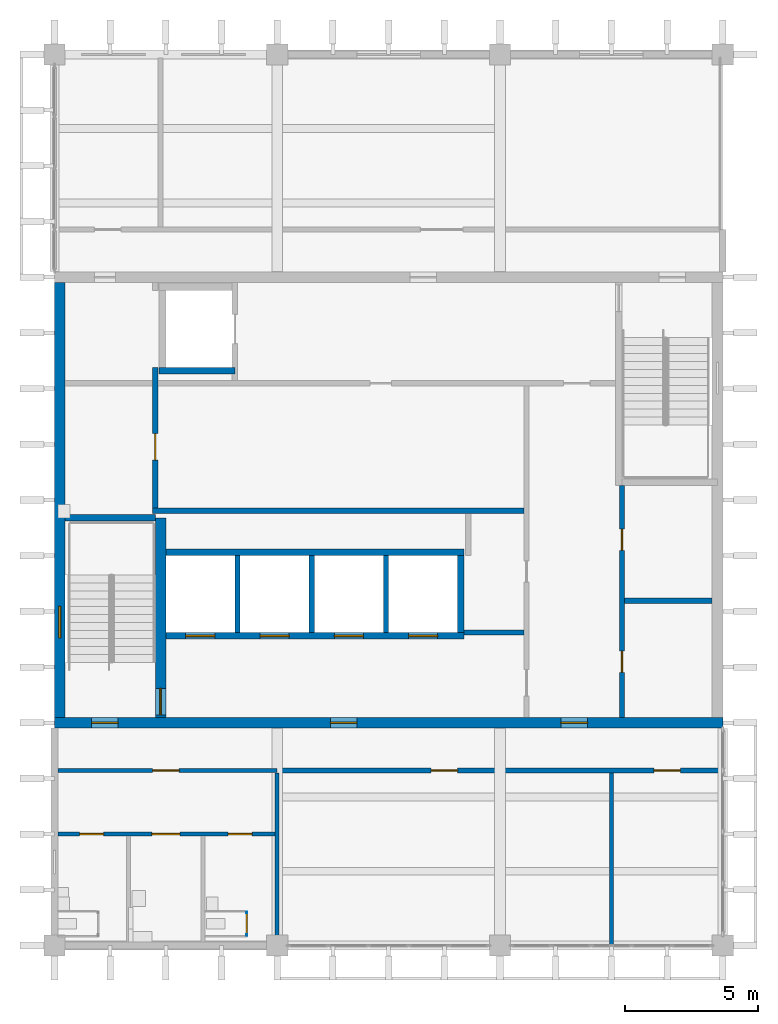
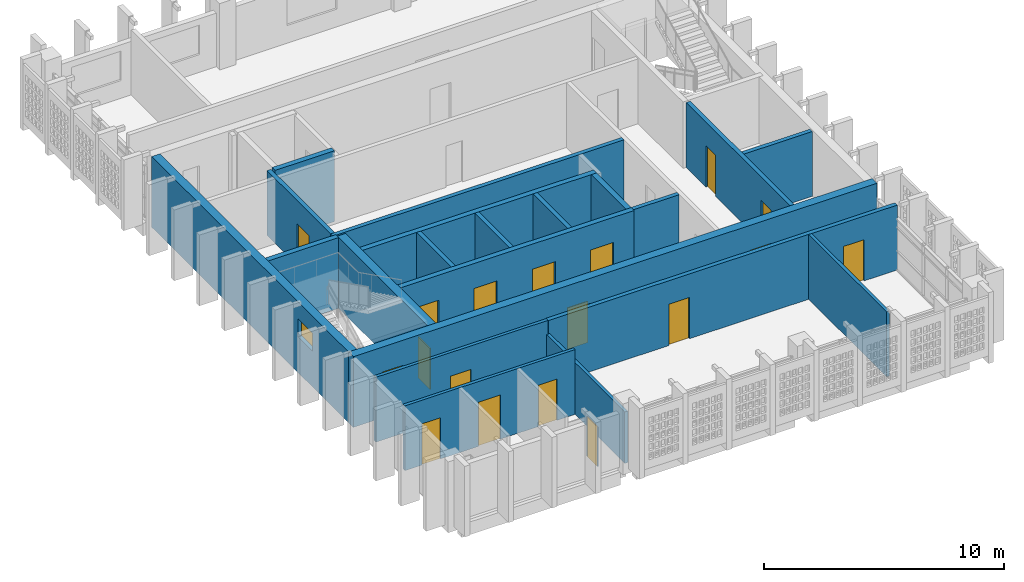
# One storey, part 5 of 13: 22 walls, 18 doors, 1 window, 19 openings.
"""IFC4 building model written with IfcOpenShell, lengths in metres."""

from ifc_helpers import new_model, si_unit, direction, frame, frame_2d, origin, place, context, subcontext, project, spatial, rectangle, extrude, material, layer, layer_set, type_object, element, fill, save


model = new_model("IFC4")

# Units and contexts
model_context = context("Model", 3, precision=1e-05, world=origin(), true_north=direction((0.0, 1.0)))
body_context = subcontext(model_context, "Body", "Model", "MODEL_VIEW")
ifc_project = project(units=[si_unit("LENGTHUNIT", "METRE"), si_unit("AREAUNIT", "SQUARE_METRE"), si_unit("VOLUMEUNIT", "CUBIC_METRE"), si_unit("PLANEANGLEUNIT", "RADIAN"), si_unit("MASSUNIT", "GRAM", prefix="KILO")], contexts=[model_context])

# Site, building, storey
site_placement = place(None, origin())
site = spatial("IfcSite", under=ifc_project, at=site_placement, CompositionType="ELEMENT")
building_placement = place(site_placement, origin())
building = spatial("IfcBuilding", under=site, at=building_placement, Name="Rulbaag Community and Learning Centre", CompositionType="ELEMENT")
storey_placement = place(building_placement, frame((0.0, 0.0, 39.60009765625)))
storey = spatial("IfcBuildingStorey", under=building, at=storey_placement, Name="L10", CompositionType="ELEMENT", Elevation=39.60009765625)

# Wall, opening, door
ifc_material_1 = material(Name="High pressure laminate", Category="wood")
ifc_layer_1 = layer(ifc_material_1, 0.0400390625)
ifc_layer_set_1 = layer_set([ifc_layer_1], Name="CP-40")
wall_type_1 = type_object("IfcWallType", Name="CP-40", PredefinedType="PARTITIONING", material=ifc_layer_set_1)
wall_1_placement = place(storey_placement, frame((150.050048828125, 84.3701171875, 0.0), z_axis=(0.0, 0.0, 1.0), x_axis=(0.0, 1.0, 0.0)))
wall_1 = element("IfcWall", 1, at=wall_1_placement, inside=storey, type_object=wall_type_1, Name="Cubicle partition", PredefinedType="PARTITIONING", context=body_context, shape_type="SweptSolid", body=[
    extrude(rectangle(XDim=0.89990234375, YDim=0.0400390625, at=frame_2d((0.449951171875, 0.0))), origin(), (0.0, 0.0, 1.0), 2.0),
])
opening_1_placement = place(wall_1_placement, frame((0.050048828125, 0.0, 0.0)))
opening_1 = element("IfcOpeningElement", 2, at=opening_1_placement, cuts=wall_1, Name="Opening L10-D013", PredefinedType="OPENING", context=body_context, shape_type="SweptSolid", body=[
    extrude(rectangle(XDim=0.800048828125, YDim=2.0, at=frame_2d((0.39990234375, 1.0))), frame((0.0, 0.030029296875, 0.0), z_axis=(0.0, -1.0, 0.0), x_axis=(1.0, 0.0, 0.0)), (0.0, 0.0, 1.0), 0.06005859375),
])
door_type_1 = type_object("IfcDoorType", Name="DC-80", OperationType="SINGLE_SWING_LEFT", PredefinedType="DOOR", material=ifc_material_1)
door_1_placement = place(opening_1_placement, origin())
door_1 = element("IfcDoor", 3, at=door_1_placement, inside=storey, type_object=door_type_1, Name="Cubicle door", OperationType="SINGLE_SWING_LEFT", OverallHeight=2.0, OverallWidth=0.800048828125, PredefinedType="DOOR", context=body_context, shape_type="SweptSolid", body=[
    extrude(rectangle(XDim=0.800048828125, YDim=2.0, at=frame_2d((0.39990234375, 1.0))), frame((0.0, 0.019775390625, 0.0), z_axis=(0.0, -1.0, 0.0), x_axis=(1.0, 0.0, 0.0)), (0.0, 0.0, 1.0), 0.03955078125),
])
fill(opening_1, door_1)

# Wall, openings, doors
ifc_material_2 = material(Name="Concrete blockwork", Category="masonry")
ifc_layer_2 = layer(ifc_material_2, 0.199951171875)
ifc_layer_set_2 = layer_set([ifc_layer_2], Name="FW-200 FIRE WALL 200")
wall_type_2 = type_object("IfcWallType", Name="FW-200 FIRE WALL 200", PredefinedType="SOLIDWALL", material=ifc_layer_set_2)
wall_2_placement = place(storey_placement, frame((151.199951171875, 90.60009765625, 0.0), z_axis=(0.0, 0.0, 1.0), x_axis=(1.0, 0.0, 0.0)))
wall_2 = element("IfcWall", 4, at=wall_2_placement, inside=storey, type_object=wall_type_2, Name="Fire wall L10 3", PredefinedType="SOLIDWALL", context=body_context, shape_type="SweptSolid", body=[
    extrude(rectangle(XDim=16.800048828125, YDim=0.199951171875, at=frame_2d((8.39990234375, 0.0))), origin(), (0.0, 0.0, 1.0), 3.2998046875),
])
opening_2_placement = place(wall_2_placement, frame((5.800048828125, 0.0, 0.0)))
opening_2 = element("IfcOpeningElement", 5, at=opening_2_placement, cuts=wall_2, Name="Opening L10-D021", PredefinedType="OPENING", context=body_context, shape_type="SweptSolid", body=[
    extrude(rectangle(XDim=1.0, YDim=2.10009765625, at=frame_2d((0.5, 1.050048828125))), frame((0.0, 0.10986328125, 0.0), z_axis=(0.0, -1.0, 0.0), x_axis=(1.0, 0.0, 0.0)), (0.0, 0.0, 1.0), 0.219970703125),
])
opening_3_placement = place(wall_2_placement, frame((14.199951171875, 0.0, 0.0)))
opening_3 = element("IfcOpeningElement", 6, at=opening_3_placement, cuts=wall_2, Name="Opening L10-D029", PredefinedType="OPENING", context=body_context, shape_type="SweptSolid", body=[
    extrude(rectangle(XDim=1.0, YDim=2.10009765625, at=frame_2d((0.5, 1.050048828125))), frame((0.0, 0.10986328125, 0.0), z_axis=(0.0, -1.0, 0.0), x_axis=(1.0, 0.0, 0.0)), (0.0, 0.0, 1.0), 0.219970703125),
])
ifc_material_3 = material(Name="Galvanised steel", Category="steel")
door_type_2 = type_object("IfcDoorType", Name="FD-1000 FIRE DOOR 1000 x 2100", OperationType="SINGLE_SWING_LEFT", PredefinedType="DOOR", material=ifc_material_3)
door_2_placement = place(opening_2_placement, origin())
door_2 = element("IfcDoor", 7, at=door_2_placement, inside=storey, type_object=door_type_2, Name="Door L10-D021", OperationType="SINGLE_SWING_LEFT", OverallHeight=2.10009765625, OverallWidth=1.0, PredefinedType="DOOR", context=body_context, shape_type="SweptSolid", body=[
    extrude(rectangle(XDim=1.0, YDim=2.10009765625, at=frame_2d((0.5, 1.050048828125))), frame((0.0, 0.02490234375, 0.0), z_axis=(0.0, -1.0, 0.0), x_axis=(1.0, 0.0, 0.0)), (0.0, 0.0, 1.0), 0.050048828125),
])
fill(opening_2, door_2)
door_3_placement = place(opening_3_placement, origin())
door_3 = element("IfcDoor", 8, at=door_3_placement, inside=storey, type_object=door_type_2, Name="Door L10-D029", OperationType="SINGLE_SWING_RIGHT", OverallHeight=2.10009765625, OverallWidth=1.0, PredefinedType="DOOR", context=body_context, shape_type="SweptSolid", body=[
    extrude(rectangle(XDim=1.0, YDim=2.10009765625, at=frame_2d((0.5, 1.050048828125))), frame((0.0, 0.02490234375, 0.0), z_axis=(0.0, -1.0, 0.0), x_axis=(1.0, 0.0, 0.0)), (0.0, 0.0, 1.0), 0.050048828125),
])
fill(opening_3, door_3)

# Walls
wall_3_placement = place(storey_placement, frame((158.25, 95.800048828125, 0.0), z_axis=(0.0, 0.0, 1.0), x_axis=(1.0, 0.0, 0.0)))
element("IfcWall", 9, at=wall_3_placement, inside=storey, type_object=wall_type_2, Name="Fire wall L10 5", PredefinedType="SOLIDWALL", context=body_context, shape_type="SweptSolid", body=[
    extrude(rectangle(XDim=2.25, YDim=0.199951171875, at=frame_2d((1.125, 0.0))), origin(), (0.0, 0.0, 1.0), 3.2998046875),
])
wall_4_placement = place(storey_placement, frame((164.300048828125, 97.0, 0.0), z_axis=(0.0, 0.0, 1.0), x_axis=(1.0, 0.0, 0.0)))
element("IfcWall", 10, at=wall_4_placement, inside=storey, type_object=wall_type_2, Name="Fire wall L10 6", PredefinedType="SOLIDWALL", context=body_context, shape_type="SweptSolid", body=[
    extrude(rectangle(XDim=3.300048828125, YDim=0.199951171875, at=frame_2d((1.64990234375, 0.0))), origin(), (0.0, 0.0, 1.0), 3.2998046875),
])
wall_5_placement = place(storey_placement, frame((146.5, 100.39990234375, 0.0), z_axis=(0.0, 0.0, 1.0), x_axis=(1.0, 0.0, 0.0)))
element("IfcWall", 11, at=wall_5_placement, inside=storey, type_object=wall_type_2, Name="Fire wall L10 8", PredefinedType="SOLIDWALL", context=body_context, shape_type="SweptSolid", body=[
    extrude(rectangle(XDim=14.0, YDim=0.199951171875, at=frame_2d((7.0, 0.0))), origin(), (0.0, 0.0, 1.0), 3.2998046875),
])

# Wall, opening, door
wall_6_placement = place(storey_placement, frame((146.60009765625, 100.5, 0.0), z_axis=(0.0, 0.0, 1.0), x_axis=(0.0, 1.0, 0.0)))
wall_6 = element("IfcWall", 12, at=wall_6_placement, inside=storey, type_object=wall_type_2, Name="Fire wall L10 12", PredefinedType="SOLIDWALL", context=body_context, shape_type="SweptSolid", body=[
    extrude(rectangle(XDim=5.300048828125, YDim=0.199951171875, at=frame_2d((2.64990234375, 0.0))), origin(), (0.0, 0.0, 1.0), 3.2998046875),
])
opening_4_placement = place(wall_6_placement, frame((1.800048828125, 0.0, 0.0)))
opening_4 = element("IfcOpeningElement", 13, at=opening_4_placement, cuts=wall_6, Name="Opening L10-D006", PredefinedType="OPENING", context=body_context, shape_type="SweptSolid", body=[
    extrude(rectangle(XDim=1.0, YDim=2.10009765625, at=frame_2d((0.5, 1.050048828125))), frame((0.0, 0.10986328125, 0.0), z_axis=(0.0, -1.0, 0.0), x_axis=(1.0, 0.0, 0.0)), (0.0, 0.0, 1.0), 0.219970703125),
])
door_4_placement = place(opening_4_placement, origin())
door_4 = element("IfcDoor", 14, at=door_4_placement, inside=storey, type_object=door_type_2, Name="Door L10-D006", OperationType="SINGLE_SWING_LEFT", OverallHeight=2.10009765625, OverallWidth=1.0, PredefinedType="DOOR", context=body_context, shape_type="SweptSolid", body=[
    extrude(rectangle(XDim=1.0, YDim=2.10009765625, at=frame_2d((0.5, 1.050048828125))), frame((0.0, 0.02490234375, 0.0), z_axis=(0.0, -1.0, 0.0), x_axis=(1.0, 0.0, 0.0)), (0.0, 0.0, 1.0), 0.050048828125),
])
fill(opening_4, door_4)

# Wall, openings, doors
wall_7_placement = place(storey_placement, frame((164.199951171875, 92.60009765625, 0.0), z_axis=(0.0, 0.0, 1.0), x_axis=(0.0, 1.0, 0.0)))
wall_7 = element("IfcWall", 15, at=wall_7_placement, inside=storey, type_object=wall_type_2, Name="Fire wall L10 21", PredefinedType="SOLIDWALL", context=body_context, shape_type="SweptSolid", body=[
    extrude(rectangle(XDim=8.75, YDim=0.199951171875, at=frame_2d((4.375, 0.0))), origin(), (0.0, 0.0, 1.0), 3.2998046875),
])
opening_5_placement = place(wall_7_placement, frame((1.699951171875, 0.0, 0.0)))
opening_5 = element("IfcOpeningElement", 16, at=opening_5_placement, cuts=wall_7, Name="Opening L10-D027", PredefinedType="OPENING", context=body_context, shape_type="SweptSolid", body=[
    extrude(rectangle(XDim=0.800048828125, YDim=2.10009765625, at=frame_2d((0.39990234375, 1.050048828125))), frame((0.0, 0.10986328125, 0.0), z_axis=(0.0, -1.0, 0.0), x_axis=(1.0, 0.0, 0.0)), (0.0, 0.0, 1.0), 0.219970703125),
])
opening_6_placement = place(wall_7_placement, frame((6.300048828125, 0.0, 0.0)))
opening_6 = element("IfcOpeningElement", 17, at=opening_6_placement, cuts=wall_7, Name="Opening L10-D028", PredefinedType="OPENING", context=body_context, shape_type="SweptSolid", body=[
    extrude(rectangle(XDim=0.800048828125, YDim=2.10009765625, at=frame_2d((0.39990234375, 1.050048828125))), frame((0.0, 0.10986328125, 0.0), z_axis=(0.0, -1.0, 0.0), x_axis=(1.0, 0.0, 0.0)), (0.0, 0.0, 1.0), 0.219970703125),
])
door_type_3 = type_object("IfcDoorType", Name="FDR-800 RISER FIRE DOOR 800 x 2100", OperationType="SINGLE_SWING_LEFT", PredefinedType="DOOR", material=ifc_material_3)
door_5_placement = place(opening_5_placement, origin())
door_5 = element("IfcDoor", 18, at=door_5_placement, inside=storey, type_object=door_type_3, Name="Riser door L10-D017", OperationType="SINGLE_SWING_LEFT", OverallHeight=2.10009765625, OverallWidth=0.800048828125, PredefinedType="DOOR", context=body_context, shape_type="SweptSolid", body=[
    extrude(rectangle(XDim=0.800048828125, YDim=2.10009765625, at=frame_2d((0.39990234375, 1.050048828125))), frame((0.0, 0.02490234375, 0.0), z_axis=(0.0, -1.0, 0.0), x_axis=(1.0, 0.0, 0.0)), (0.0, 0.0, 1.0), 0.050048828125),
])
fill(opening_5, door_5)
door_6_placement = place(opening_6_placement, origin())
door_6 = element("IfcDoor", 19, at=door_6_placement, inside=storey, type_object=door_type_3, Name="Riser door L10-D018", OperationType="SINGLE_SWING_RIGHT", OverallHeight=2.10009765625, OverallWidth=0.800048828125, PredefinedType="DOOR", context=body_context, shape_type="SweptSolid", body=[
    extrude(rectangle(XDim=0.800048828125, YDim=2.10009765625, at=frame_2d((0.39990234375, 1.050048828125))), frame((0.0, 0.02490234375, 0.0), z_axis=(0.0, -1.0, 0.0), x_axis=(1.0, 0.0, 0.0)), (0.0, 0.0, 1.0), 0.050048828125),
])
fill(opening_6, door_6)

ifc_layer_3 = layer(ifc_material_2, 0.14990234375)
ifc_layer_set_3 = layer_set([ifc_layer_3], Name="IP-150 PARTITION 150")
wall_type_3 = type_object("IfcWallType", Name="IP-150 PARTITION 150", PredefinedType="PARTITIONING", material=ifc_layer_set_3)
wall_8_placement = place(storey_placement, frame((142.925048828125, 88.199951171875, 0.0), z_axis=(0.0, 0.0, 1.0), x_axis=(1.0, 0.0, 0.0)))
wall_8 = element("IfcWall", 20, at=wall_8_placement, inside=storey, type_object=wall_type_3, Name="Partition L10 1", PredefinedType="PARTITIONING", context=body_context, shape_type="SweptSolid", body=[
    extrude(rectangle(XDim=8.199951171875, YDim=0.14990234375, at=frame_2d((4.10009765625, 0.0))), origin(), (0.0, 0.0, 1.0), 3.2998046875),
])
opening_7_placement = place(wall_8_placement, frame((0.824951171875, 0.0, 0.0)))
opening_7 = element("IfcOpeningElement", 21, at=opening_7_placement, cuts=wall_8, Name="Opening L10-D001", PredefinedType="OPENING", context=body_context, shape_type="SweptSolid", body=[
    extrude(rectangle(XDim=0.89990234375, YDim=2.10009765625, at=frame_2d((0.449951171875, 1.050048828125))), frame((0.0, 0.0849609375, 0.0), z_axis=(0.0, -1.0, 0.0), x_axis=(1.0, 0.0, 0.0)), (0.0, 0.0, 1.0), 0.169921875),
])
opening_8_placement = place(wall_8_placement, frame((3.550048828125, 0.0, 0.0)))
opening_8 = element("IfcOpeningElement", 22, at=opening_8_placement, cuts=wall_8, Name="Opening L10-D008", PredefinedType="OPENING", context=body_context, shape_type="SweptSolid", body=[
    extrude(rectangle(XDim=1.050048828125, YDim=2.25, at=frame_2d((0.52490234375, 1.125))), frame((0.0, 0.0849609375, 0.0), z_axis=(0.0, -1.0, 0.0), x_axis=(1.0, 0.0, 0.0)), (0.0, 0.0, 1.0), 0.169921875),
])
opening_9_placement = place(wall_8_placement, frame((6.425048828125, 0.0, 0.0)))
opening_9 = element("IfcOpeningElement", 23, at=opening_9_placement, cuts=wall_8, Name="Opening L10-D012", PredefinedType="OPENING", context=body_context, shape_type="SweptSolid", body=[
    extrude(rectangle(XDim=0.89990234375, YDim=2.10009765625, at=frame_2d((0.449951171875, 1.050048828125))), frame((0.0, 0.0849609375, 0.0), z_axis=(0.0, -1.0, 0.0), x_axis=(1.0, 0.0, 0.0)), (0.0, 0.0, 1.0), 0.169921875),
])
ifc_material_4 = material(Name="Timber", Category="wood")
door_type_4 = type_object("IfcDoorType", Name="D-1050 ACCESSIBLE TOILET DOOR 1050 x 2250", OperationType="SINGLE_SWING_LEFT", PredefinedType="DOOR", material=ifc_material_4)
door_7_placement = place(opening_8_placement, origin())
door_7 = element("IfcDoor", 24, at=door_7_placement, inside=storey, type_object=door_type_4, Name="Door L10-D008", OperationType="SINGLE_SWING_LEFT", OverallHeight=2.25, OverallWidth=1.050048828125, PredefinedType="DOOR", context=body_context, shape_type="SweptSolid", body=[
    extrude(rectangle(XDim=1.050048828125, YDim=2.25, at=frame_2d((0.52490234375, 1.125))), frame((0.0, 0.02490234375, 0.0), z_axis=(0.0, -1.0, 0.0), x_axis=(1.0, 0.0, 0.0)), (0.0, 0.0, 1.0), 0.050048828125),
])
fill(opening_8, door_7)
door_type_5 = type_object("IfcDoorType", Name="DW-900 TOILET DOOR 900 x 2100", OperationType="SINGLE_SWING_LEFT", PredefinedType="DOOR", material=ifc_material_4)
door_8_placement = place(opening_7_placement, origin())
door_8 = element("IfcDoor", 25, at=door_8_placement, inside=storey, type_object=door_type_5, Name="Door L10-D001", OperationType="SINGLE_SWING_LEFT", OverallHeight=2.10009765625, OverallWidth=0.89990234375, PredefinedType="DOOR", context=body_context, shape_type="SweptSolid", body=[
    extrude(rectangle(XDim=0.89990234375, YDim=2.10009765625, at=frame_2d((0.449951171875, 1.050048828125))), frame((0.0, 0.02490234375, 0.0), z_axis=(0.0, -1.0, 0.0), x_axis=(1.0, 0.0, 0.0)), (0.0, 0.0, 1.0), 0.050048828125),
])
fill(opening_7, door_8)
door_9_placement = place(opening_9_placement, origin())
door_9 = element("IfcDoor", 26, at=door_9_placement, inside=storey, type_object=door_type_5, Name="Door L10-D012", OperationType="SINGLE_SWING_RIGHT", OverallHeight=2.10009765625, OverallWidth=0.89990234375, PredefinedType="DOOR", context=body_context, shape_type="SweptSolid", body=[
    extrude(rectangle(XDim=0.89990234375, YDim=2.10009765625, at=frame_2d((0.449951171875, 1.050048828125))), frame((0.0, 0.02490234375, 0.0), z_axis=(0.0, -1.0, 0.0), x_axis=(1.0, 0.0, 0.0)), (0.0, 0.0, 1.0), 0.050048828125),
])
fill(opening_9, door_9)

# Wall, opening, door
wall_9_placement = place(storey_placement, frame((142.925048828125, 90.60009765625, 0.0), z_axis=(0.0, 0.0, 1.0), x_axis=(1.0, 0.0, 0.0)))
wall_9 = element("IfcWall", 27, at=wall_9_placement, inside=storey, type_object=wall_type_3, Name="Partition L10 2", PredefinedType="PARTITIONING", context=body_context, shape_type="SweptSolid", body=[
    extrude(rectangle(XDim=8.27490234375, YDim=0.14990234375, at=frame_2d((4.137451171875, 0.0))), origin(), (0.0, 0.0, 1.0), 3.2998046875),
])
opening_10_placement = place(wall_9_placement, frame((3.574951171875, 0.0, 0.0)))
opening_10 = element("IfcOpeningElement", 28, at=opening_10_placement, cuts=wall_9, Name="Opening L10-D009", PredefinedType="OPENING", context=body_context, shape_type="SweptSolid", body=[
    extrude(rectangle(XDim=1.0, YDim=2.10009765625, at=frame_2d((0.5, 1.050048828125))), frame((0.0, 0.0849609375, 0.0), z_axis=(0.0, -1.0, 0.0), x_axis=(1.0, 0.0, 0.0)), (0.0, 0.0, 1.0), 0.169921875),
])
door_type_6 = type_object("IfcDoorType", Name="D-1000 DOOR 1000 x 2100", OperationType="SINGLE_SWING_LEFT", PredefinedType="DOOR", material=ifc_material_4)
door_10_placement = place(opening_10_placement, origin())
door_10 = element("IfcDoor", 29, at=door_10_placement, inside=storey, type_object=door_type_6, Name="Door L10-D009", OperationType="SINGLE_SWING_RIGHT", OverallHeight=2.10009765625, OverallWidth=1.0, PredefinedType="DOOR", context=body_context, shape_type="SweptSolid", body=[
    extrude(rectangle(XDim=1.0, YDim=2.10009765625, at=frame_2d((0.5, 1.050048828125))), frame((0.0, 0.02490234375, 0.0), z_axis=(0.0, -1.0, 0.0), x_axis=(1.0, 0.0, 0.0)), (0.0, 0.0, 1.0), 0.050048828125),
])
fill(opening_10, door_10)

# Walls
wall_10_placement = place(storey_placement, frame((151.199951171875, 84.0, 0.0), z_axis=(0.0, 0.0, 1.0), x_axis=(0.0, 1.0, 0.0)))
element("IfcWall", 30, at=wall_10_placement, inside=storey, type_object=wall_type_3, Name="Partition L10 17", PredefinedType="PARTITIONING", context=body_context, shape_type="SweptSolid", body=[
    extrude(rectangle(XDim=6.5, YDim=0.14990234375, at=frame_2d((3.25, 0.0))), origin(), (0.0, 0.0, 1.0), 2.625),
])
wall_11_placement = place(storey_placement, frame((163.800048828125, 84.0, 0.0), z_axis=(0.0, 0.0, 1.0), x_axis=(0.0, 1.0, 0.0)))
element("IfcWall", 31, at=wall_11_placement, inside=storey, type_object=wall_type_3, Name="Partition L10 20", PredefinedType="PARTITIONING", context=body_context, shape_type="SweptSolid", body=[
    extrude(rectangle(XDim=6.5, YDim=0.14990234375, at=frame_2d((3.25, 0.0))), origin(), (0.0, 0.0, 1.0), 3.2998046875),
])

# Wall, openings, doors
ifc_material_5 = material(Name="Concrete M60", Category="concrete")
ifc_layer_4 = layer(ifc_material_5, 0.39990234375)
ifc_layer_set_4 = layer_set([ifc_layer_4], Name="W2 Core wall 400 Concrete M60")
wall_type_4 = type_object("IfcWallType", Name="W2 Core wall 400 Concrete M60", PredefinedType="SHEAR", material=ifc_layer_set_4)
wall_12_placement = place(storey_placement, frame((142.800048828125, 92.39990234375, -0.22509765625), z_axis=(0.0, 0.0, 1.0), x_axis=(1.0, 0.0, 0.0)))
wall_12 = element("IfcWall", 32, at=wall_12_placement, inside=storey, type_object=wall_type_4, Name="WL-CORE-S-L10", PredefinedType="SHEAR", context=body_context, shape_type="SweptSolid", body=[
    extrude(rectangle(XDim=25.199951171875, YDim=0.39990234375, at=frame_2d((12.60009765625, 0.0))), origin(), (0.0, 0.0, 1.0), 3.60009765625),
])
opening_11_placement = place(wall_12_placement, frame((1.39990234375, 0.0, 0.22509765625)))
opening_11 = element("IfcOpeningElement", 33, at=opening_11_placement, cuts=wall_12, Name="Opening L10-D003", PredefinedType="OPENING", context=body_context, shape_type="SweptSolid", body=[
    extrude(rectangle(XDim=1.0, YDim=2.10009765625, at=frame_2d((0.5, 1.050048828125))), frame((0.0, 0.2099609375, 0.0), z_axis=(0.0, -1.0, 0.0), x_axis=(1.0, 0.0, 0.0)), (0.0, 0.0, 1.0), 0.419921875),
])
opening_12_placement = place(wall_12_placement, frame((19.10009765625, 0.0, 0.22509765625)))
opening_12 = element("IfcOpeningElement", 34, at=opening_12_placement, cuts=wall_12, Name="Opening L10-D024", PredefinedType="OPENING", context=body_context, shape_type="SweptSolid", body=[
    extrude(rectangle(XDim=1.0, YDim=2.10009765625, at=frame_2d((0.5, 1.050048828125))), frame((0.0, 0.2099609375, 0.0), z_axis=(0.0, -1.0, 0.0), x_axis=(1.0, 0.0, 0.0)), (0.0, 0.0, 1.0), 0.419921875),
])
opening_13_placement = place(wall_12_placement, frame((10.39990234375, 0.0, 0.22509765625)))
opening_13 = element("IfcOpeningElement", 35, at=opening_13_placement, cuts=wall_12, Name="Opening L10-D015", PredefinedType="OPENING", context=body_context, shape_type="SweptSolid", body=[
    extrude(rectangle(XDim=1.0, YDim=2.10009765625, at=frame_2d((0.5, 1.050048828125))), frame((0.0, 0.2099609375, 0.0), z_axis=(0.0, -1.0, 0.0), x_axis=(1.0, 0.0, 0.0)), (0.0, 0.0, 1.0), 0.419921875),
])
door_11_placement = place(opening_12_placement, origin())
door_11 = element("IfcDoor", 36, at=door_11_placement, inside=storey, type_object=door_type_6, Name="Door L10-D024", OperationType="SINGLE_SWING_LEFT", OverallHeight=2.10009765625, OverallWidth=1.0, PredefinedType="DOOR", context=body_context, shape_type="SweptSolid", body=[
    extrude(rectangle(XDim=1.0, YDim=2.10009765625, at=frame_2d((0.5, 1.050048828125))), frame((0.0, 0.02490234375, 0.0), z_axis=(0.0, -1.0, 0.0), x_axis=(1.0, 0.0, 0.0)), (0.0, 0.0, 1.0), 0.050048828125),
])
fill(opening_12, door_11)
door_12_placement = place(opening_11_placement, origin())
door_12 = element("IfcDoor", 37, at=door_12_placement, inside=storey, type_object=door_type_2, Name="Door L10-D003", OperationType="SINGLE_SWING_RIGHT", OverallHeight=2.10009765625, OverallWidth=1.0, PredefinedType="DOOR", context=body_context, shape_type="SweptSolid", body=[
    extrude(rectangle(XDim=1.0, YDim=2.10009765625, at=frame_2d((0.5, 1.050048828125))), frame((0.0, 0.02490234375, 0.0), z_axis=(0.0, -1.0, 0.0), x_axis=(1.0, 0.0, 0.0)), (0.0, 0.0, 1.0), 0.050048828125),
])
fill(opening_11, door_12)
door_13_placement = place(opening_13_placement, origin())
door_13 = element("IfcDoor", 38, at=door_13_placement, inside=storey, type_object=door_type_2, Name="Door L10-D015", OperationType="SINGLE_SWING_RIGHT", OverallHeight=2.10009765625, OverallWidth=1.0, PredefinedType="DOOR", context=body_context, shape_type="SweptSolid", body=[
    extrude(rectangle(XDim=1.0, YDim=2.10009765625, at=frame_2d((0.5, 1.050048828125))), frame((0.0, 0.02490234375, 0.0), z_axis=(0.0, -1.0, 0.0), x_axis=(1.0, 0.0, 0.0)), (0.0, 0.0, 1.0), 0.050048828125),
])
fill(opening_13, door_13)

# Wall, opening, window
wall_13_placement = place(storey_placement, frame((143.0, 92.60009765625, -0.22509765625), z_axis=(0.0, 0.0, 1.0), x_axis=(0.0, 1.0, 0.0)))
wall_13 = element("IfcWall", 39, at=wall_13_placement, inside=storey, type_object=wall_type_4, Name="WL-CORE-W-L10", PredefinedType="SHEAR", context=body_context, shape_type="SweptSolid", body=[
    extrude(rectangle(XDim=16.39990234375, YDim=0.39990234375, at=frame_2d((8.199951171875, 0.0))), origin(), (0.0, 0.0, 1.0), 3.60009765625),
])
opening_14_placement = place(wall_13_placement, frame((3.0, 0.0, 1.824951171875)))
opening_14 = element("IfcOpeningElement", 40, at=opening_14_placement, cuts=wall_13, Name="Opening WN19", PredefinedType="OPENING", context=body_context, shape_type="SweptSolid", body=[
    extrude(rectangle(XDim=1.199951171875, YDim=0.89990234375, at=frame_2d((0.60009765625, 0.449951171875))), frame((0.0, 0.2099609375, 0.0), z_axis=(0.0, -1.0, 0.0), x_axis=(1.0, 0.0, 0.0)), (0.0, 0.0, 1.0), 0.419921875),
])
ifc_material_6 = material(Name="Aluminium", Category="aluminium")
window_type = type_object("IfcWindowType", Name="WS-12", PartitioningType="SINGLE_PANEL", PredefinedType="WINDOW", material=ifc_material_6)
window_placement = place(opening_14_placement, origin())
window = element("IfcWindow", 41, at=window_placement, inside=storey, type_object=window_type, Name="Stair window", OverallHeight=0.89990234375, OverallWidth=1.199951171875, PartitioningType="SINGLE_PANEL", PredefinedType="WINDOW", context=body_context, shape_type="SweptSolid", body=[
    extrude(rectangle(XDim=1.199951171875, YDim=0.89990234375, at=frame_2d((0.60009765625, 0.449951171875))), frame((0.0, 0.030029296875, 0.0), z_axis=(0.0, -1.0, 0.0), x_axis=(1.0, 0.0, 0.0)), (0.0, 0.0, 1.0), 0.06005859375),
])
fill(opening_14, window)

# Wall
ifc_material_7 = material(Name="Concrete M40", Category="concrete")
ifc_layer_5 = layer(ifc_material_7, 0.25)
ifc_layer_set_5 = layer_set([ifc_layer_5], Name="W5 Shaft wall 250 Concrete M40")
wall_type_5 = type_object("IfcWallType", Name="W5 Shaft wall 250 Concrete M40", PredefinedType="SHEAR", material=ifc_layer_set_5)
wall_14_placement = place(storey_placement, frame((143.199951171875, 100.125, -0.22509765625), z_axis=(0.0, 0.0, 1.0), x_axis=(1.0, 0.0, 0.0)))
element("IfcWall", 42, at=wall_14_placement, inside=storey, type_object=wall_type_5, Name="WL-ST1-N-L10", PredefinedType="SHEAR", context=body_context, shape_type="SweptSolid", body=[
    extrude(rectangle(XDim=3.400146484375, YDim=0.25, at=frame_2d((1.7001953125, 0.0))), origin(), (0.0, 0.0, 1.0), 3.60009765625),
])

# Wall, openings, doors
wall_15_placement = place(storey_placement, frame((147.0, 95.675048828125, -0.22509765625), z_axis=(0.0, 0.0, 1.0), x_axis=(1.0, 0.0, 0.0)))
wall_15 = element("IfcWall", 43, at=wall_15_placement, inside=storey, type_object=wall_type_5, Name="WL-LP-S-L10", PredefinedType="SHEAR", context=body_context, shape_type="SweptSolid", body=[
    extrude(rectangle(XDim=11.25, YDim=0.25, at=frame_2d((5.625, 0.0))), origin(), (0.0, 0.0, 1.0), 3.60009765625),
])
opening_15_placement = place(wall_15_placement, frame((0.75, 0.0, 0.22509765625)))
opening_15 = element("IfcOpeningElement", 44, at=opening_15_placement, cuts=wall_15, Name="Opening L10-D010", PredefinedType="OPENING", context=body_context, shape_type="SweptSolid", body=[
    extrude(rectangle(XDim=1.10009765625, YDim=2.10009765625, at=frame_2d((0.550048828125, 1.050048828125))), frame((0.0, 0.135009765625, 0.0), z_axis=(0.0, -1.0, 0.0), x_axis=(1.0, 0.0, 0.0)), (0.0, 0.0, 1.0), 0.27001953125),
])
opening_16_placement = place(wall_15_placement, frame((3.550048828125, 0.0, 0.22509765625)))
opening_16 = element("IfcOpeningElement", 45, at=opening_16_placement, cuts=wall_15, Name="Opening L10-D014", PredefinedType="OPENING", context=body_context, shape_type="SweptSolid", body=[
    extrude(rectangle(XDim=1.10009765625, YDim=2.10009765625, at=frame_2d((0.550048828125, 1.050048828125))), frame((0.0, 0.135009765625, 0.0), z_axis=(0.0, -1.0, 0.0), x_axis=(1.0, 0.0, 0.0)), (0.0, 0.0, 1.0), 0.27001953125),
])
opening_17_placement = place(wall_15_placement, frame((6.35009765625, 0.0, 0.22509765625)))
opening_17 = element("IfcOpeningElement", 46, at=opening_17_placement, cuts=wall_15, Name="Opening L10-D016", PredefinedType="OPENING", context=body_context, shape_type="SweptSolid", body=[
    extrude(rectangle(XDim=1.10009765625, YDim=2.10009765625, at=frame_2d((0.550048828125, 1.050048828125))), frame((0.0, 0.135009765625, 0.0), z_axis=(0.0, -1.0, 0.0), x_axis=(1.0, 0.0, 0.0)), (0.0, 0.0, 1.0), 0.27001953125),
])
opening_18_placement = place(wall_15_placement, frame((9.14990234375, 0.0, 0.22509765625)))
opening_18 = element("IfcOpeningElement", 47, at=opening_18_placement, cuts=wall_15, Name="Opening L10-D018", PredefinedType="OPENING", context=body_context, shape_type="SweptSolid", body=[
    extrude(rectangle(XDim=1.10009765625, YDim=2.10009765625, at=frame_2d((0.550048828125, 1.050048828125))), frame((0.0, 0.135009765625, 0.0), z_axis=(0.0, -1.0, 0.0), x_axis=(1.0, 0.0, 0.0)), (0.0, 0.0, 1.0), 0.27001953125),
])
ifc_material_8 = material(Name="Stainless steel grade 304", Category="steel")
door_type_7 = type_object("IfcDoorType", Name="LD-1100 LIFT LANDING DOOR 1100 x 2100", OperationType="SLIDING_TO_LEFT", PredefinedType="DOOR", material=ifc_material_8)
door_14_placement = place(opening_15_placement, origin())
door_14 = element("IfcDoor", 48, at=door_14_placement, inside=storey, type_object=door_type_7, Name="Lift landing door LP1 L10", OperationType="SLIDING_TO_LEFT", OverallHeight=2.10009765625, OverallWidth=1.10009765625, PredefinedType="DOOR", context=body_context, shape_type="SweptSolid", body=[
    extrude(rectangle(XDim=1.10009765625, YDim=2.10009765625, at=frame_2d((0.550048828125, 1.050048828125))), frame((0.0, 0.02490234375, 0.0), z_axis=(0.0, -1.0, 0.0), x_axis=(1.0, 0.0, 0.0)), (0.0, 0.0, 1.0), 0.050048828125),
])
fill(opening_15, door_14)
door_15_placement = place(opening_16_placement, origin())
door_15 = element("IfcDoor", 49, at=door_15_placement, inside=storey, type_object=door_type_7, Name="Lift landing door LP2 L10", OperationType="SLIDING_TO_LEFT", OverallHeight=2.10009765625, OverallWidth=1.10009765625, PredefinedType="DOOR", context=body_context, shape_type="SweptSolid", body=[
    extrude(rectangle(XDim=1.10009765625, YDim=2.10009765625, at=frame_2d((0.550048828125, 1.050048828125))), frame((0.0, 0.02490234375, 0.0), z_axis=(0.0, -1.0, 0.0), x_axis=(1.0, 0.0, 0.0)), (0.0, 0.0, 1.0), 0.050048828125),
])
fill(opening_16, door_15)
door_16_placement = place(opening_17_placement, origin())
door_16 = element("IfcDoor", 50, at=door_16_placement, inside=storey, type_object=door_type_7, Name="Lift landing door LP3 L10", OperationType="SLIDING_TO_LEFT", OverallHeight=2.10009765625, OverallWidth=1.10009765625, PredefinedType="DOOR", context=body_context, shape_type="SweptSolid", body=[
    extrude(rectangle(XDim=1.10009765625, YDim=2.10009765625, at=frame_2d((0.550048828125, 1.050048828125))), frame((0.0, 0.02490234375, 0.0), z_axis=(0.0, -1.0, 0.0), x_axis=(1.0, 0.0, 0.0)), (0.0, 0.0, 1.0), 0.050048828125),
])
fill(opening_17, door_16)
door_17_placement = place(opening_18_placement, origin())
door_17 = element("IfcDoor", 51, at=door_17_placement, inside=storey, type_object=door_type_7, Name="Lift landing door LP4 L10", OperationType="SLIDING_TO_LEFT", OverallHeight=2.10009765625, OverallWidth=1.10009765625, PredefinedType="DOOR", context=body_context, shape_type="SweptSolid", body=[
    extrude(rectangle(XDim=1.10009765625, YDim=2.10009765625, at=frame_2d((0.550048828125, 1.050048828125))), frame((0.0, 0.02490234375, 0.0), z_axis=(0.0, -1.0, 0.0), x_axis=(1.0, 0.0, 0.0)), (0.0, 0.0, 1.0), 0.050048828125),
])
fill(opening_18, door_17)

# Walls
wall_16_placement = place(storey_placement, frame((147.0, 98.824951171875, -0.22509765625), z_axis=(0.0, 0.0, 1.0), x_axis=(1.0, 0.0, 0.0)))
element("IfcWall", 52, at=wall_16_placement, inside=storey, type_object=wall_type_5, Name="WL-LP-N-L10", PredefinedType="SHEAR", context=body_context, shape_type="SweptSolid", body=[
    extrude(rectangle(XDim=11.25, YDim=0.25, at=frame_2d((5.625, 0.0))), origin(), (0.0, 0.0, 1.0), 3.60009765625),
])
wall_17_placement = place(storey_placement, frame((158.125, 95.800048828125, -0.22509765625), z_axis=(0.0, 0.0, 1.0), x_axis=(0.0, 1.0, 0.0)))
element("IfcWall", 53, at=wall_17_placement, inside=storey, type_object=wall_type_5, Name="WL-LP-E-L10", PredefinedType="SHEAR", context=body_context, shape_type="SweptSolid", body=[
    extrude(rectangle(XDim=2.89990234375, YDim=0.25, at=frame_2d((1.449951171875, 0.0))), origin(), (0.0, 0.0, 1.0), 3.60009765625),
])
wall_18_placement = place(storey_placement, frame((146.75, 105.675048828125, -0.22509765625), z_axis=(0.0, 0.0, 1.0), x_axis=(1.0, 0.0, 0.0)))
element("IfcWall", 54, at=wall_18_placement, inside=storey, type_object=wall_type_5, Name="WL-LF-S-L10", PredefinedType="SHEAR", context=body_context, shape_type="SweptSolid", body=[
    extrude(rectangle(XDim=2.85009765625, YDim=0.25, at=frame_2d((1.425048828125, 0.0))), origin(), (0.0, 0.0, 1.0), 3.60009765625),
])
ifc_layer_6 = layer(ifc_material_7, 0.199951171875)
ifc_layer_set_6 = layer_set([ifc_layer_6], Name="W6 Shaft divider 200 Concrete M40")
wall_type_6 = type_object("IfcWallType", Name="W6 Shaft divider 200 Concrete M40", PredefinedType="SHEAR", material=ifc_layer_set_6)
for number, where, z_axis, x_axis, name in (
    (55, (149.699951171875, 95.800048828125, -0.22509765625), (0.0, 0.0, 1.0), (0.0, 1.0, 0.0), "WL-LP-D1-L10"),
    (56, (152.5, 95.800048828125, -0.22509765625), (0.0, 0.0, 1.0), (0.0, 1.0, 0.0), "WL-LP-D2-L10"),
    (57, (155.300048828125, 95.800048828125, -0.22509765625), (0.0, 0.0, 1.0), (0.0, 1.0, 0.0), "WL-LP-D3-L10"),
):
    element("IfcWall", number, at=place(storey_placement, frame(where, z_axis=z_axis, x_axis=x_axis)), inside=storey, type_object=wall_type_6, Name=name, PredefinedType="SHEAR", context=body_context, shape_type="SweptSolid", body=[
        extrude(rectangle(XDim=2.89990234375, YDim=0.199951171875, at=frame_2d((1.449951171875, 0.0))), origin(), (0.0, 0.0, 1.0), 3.60009765625),
    ])

# Wall, opening, door
ifc_layer_7 = layer(ifc_material_7, 0.39990234375)
ifc_layer_set_7 = layer_set([ifc_layer_7], Name="W7 Stair wall 400 Concrete M40")
wall_type_7 = type_object("IfcWallType", Name="W7 Stair wall 400 Concrete M40", PredefinedType="SHEAR", material=ifc_layer_set_7)
wall_19_placement = place(storey_placement, frame((146.800048828125, 92.60009765625, -0.22509765625), z_axis=(0.0, 0.0, 1.0), x_axis=(0.0, 1.0, 0.0)))
wall_19 = element("IfcWall", 58, at=wall_19_placement, inside=storey, type_object=wall_type_7, Name="WL-ST1-E-L10", PredefinedType="SHEAR", context=body_context, shape_type="SweptSolid", body=[
    extrude(rectangle(XDim=7.52490234375, YDim=0.39990234375, at=frame_2d((3.762451171875, 0.0))), origin(), (0.0, 0.0, 1.0), 3.60009765625),
])
opening_19_placement = place(wall_19_placement, frame((0.10009765625, 0.0, 0.22509765625)))
opening_19 = element("IfcOpeningElement", 59, at=opening_19_placement, cuts=wall_19, Name="Opening L10-D007", PredefinedType="OPENING", context=body_context, shape_type="SweptSolid", body=[
    extrude(rectangle(XDim=1.0, YDim=2.10009765625, at=frame_2d((0.5, 1.050048828125))), frame((0.0, 0.2099609375, 0.0), z_axis=(0.0, -1.0, 0.0), x_axis=(1.0, 0.0, 0.0)), (0.0, 0.0, 1.0), 0.419921875),
])
door_18_placement = place(opening_19_placement, origin())
door_18 = element("IfcDoor", 60, at=door_18_placement, inside=storey, type_object=door_type_2, Name="Door L10-D007", OperationType="SINGLE_SWING_RIGHT", OverallHeight=2.10009765625, OverallWidth=1.0, PredefinedType="DOOR", context=body_context, shape_type="SweptSolid", body=[
    extrude(rectangle(XDim=1.0, YDim=2.10009765625, at=frame_2d((0.5, 1.050048828125))), frame((0.0, 0.02490234375, 0.0), z_axis=(0.0, -1.0, 0.0), x_axis=(1.0, 0.0, 0.0)), (0.0, 0.0, 1.0), 0.050048828125),
])
fill(opening_19, door_18)

save(model, "model.ifc")
